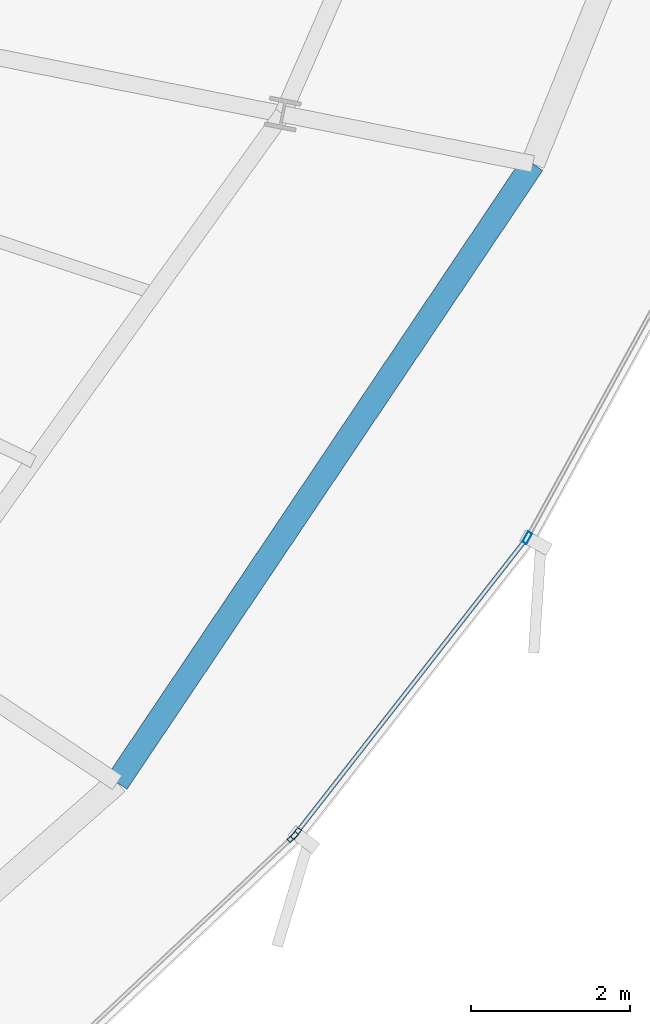
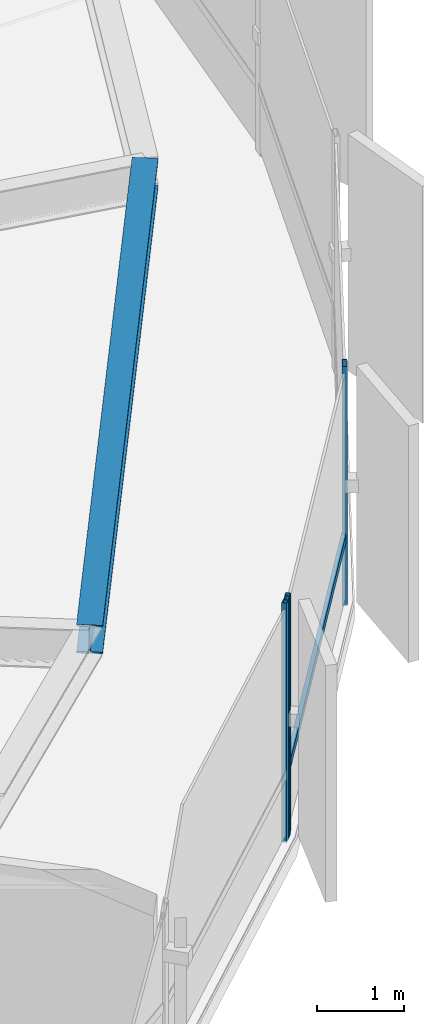
# One storey, part 14 of 34: 4 members, 1 beam, 2 elements without a shape of their own.
"""IFC4 building model written with IfcOpenShell, lengths in metres."""

from ifc_helpers import new_model, si_unit, direction, frame, origin, origin_2d, place, context, subcontext, project, spatial, hollow_rectangle, i_section, extrude, source, transform, mapped, material, layer, layer_set, material_profile, profile_set, type_object, element, aggregate, save


model = new_model("IFC4")

# Units and contexts
model_context = context("Model", 3, precision=1e-05, world=origin(), true_north=direction((0.0, 1.0)))
body_context = subcontext(model_context, "Body", "Model", "MODEL_VIEW")
ifc_project = project(units=[si_unit("LENGTHUNIT", "METRE"), si_unit("AREAUNIT", "SQUARE_METRE"), si_unit("VOLUMEUNIT", "CUBIC_METRE"), si_unit("PLANEANGLEUNIT", "RADIAN"), si_unit("MASSUNIT", "GRAM", prefix="KILO"), si_unit("THERMODYNAMICTEMPERATUREUNIT", "KELVIN")], contexts=[model_context])

# Site, building, storey
site_placement = place(None, origin())
site = spatial("IfcSite", under=ifc_project, at=site_placement, CompositionType="ELEMENT")
building_placement = place(site_placement, origin())
building = spatial("IfcBuilding", under=site, at=building_placement, Name="Kethvar Cultural Tower", CompositionType="ELEMENT")
storey_placement = place(building_placement, frame((0.0, 0.0, 125.199951171875)))
storey = spatial("IfcBuildingStorey", under=building, at=storey_placement, Name="L31", CompositionType="ELEMENT", Elevation=125.199951171875)

# Beam
ifc_material_1 = material(Name="Steel S355J2", Category="steel")
ifc_material_profile_1 = material_profile(ifc_material_1, i_section(OverallWidth=0.300048828125, OverallDepth=0.39990234375, WebThickness=0.013427734375, FlangeThickness=0.02392578125, FilletRadius=0.027099609375, at=origin_2d()), Name="Steel S355J2 — HEB400")
ifc_profile_set_1 = profile_set([ifc_material_profile_1], Name="Steel S355J2 — HEB400")
beam_type = type_object("IfcBeamType", Name="BM-SP400", PredefinedType="SPANDREL", material=ifc_profile_set_1)
shared_shape_1 = source(origin(), body_context, "Body", "SweptSolid", [
    extrude(i_section(OverallWidth=0.300048828125, OverallDepth=0.39990234375, WebThickness=0.013427734375, FlangeThickness=0.02392578125, FilletRadius=0.027099609375, at=origin_2d()), origin(), (0.0, 0.0, 1.0), 9.355224609375),
])
beam_placement = place(storey_placement, frame((65.559326171875, 15.265380859375, 3.14794921875), z_axis=(0.557731714622, 0.830021285573, 0.0), x_axis=(-0.830021285573, 0.557731714622, 0.0)))
element("IfcBeam", 1, at=beam_placement, inside=storey, type_object=beam_type, Name="L31 Perimeter Spandrel Beam SP-15", PredefinedType="SPANDREL", context=body_context, shape_type="MappedRepresentation", body=[
    mapped(shared_shape_1, transform((0.0, 0.0, 0.0), scale=1.0)),
])

# Curtain wall, member
ifc_material_2 = material(Name="Aluminium 6063-T6", Category="aluminium")
ifc_layer = layer(ifc_material_2, 0.179931640625, Name="Aluminium 6063-T6", Category="aluminium")
ifc_layer_set = layer_set([ifc_layer], Name="Aluminium 6063-T6 (180 mm)")
curtain_wall_type = type_object("IfcCurtainWallType", Name="CW-SYS-03-Z2", PredefinedType="NOTDEFINED", material=ifc_layer_set)
curtain_wall_1_placement = place(storey_placement, origin())
curtain_wall_1 = element("IfcCurtainWall", 2, at=curtain_wall_1_placement, inside=storey, type_object=curtain_wall_type, Name="L31 Curtain Wall Run 05", PredefinedType="NOTDEFINED")
ifc_material_profile_2 = material_profile(ifc_material_2, hollow_rectangle(XDim=0.06005859375, YDim=0.14990234375, WallThickness=0.0048828125, at=origin_2d()), Name="Aluminium 6063-T6 — RHS150x60x5")
ifc_profile_set_2 = profile_set([ifc_material_profile_2], Name="Aluminium 6063-T6 — RHS150x60x5")
member_type_1 = type_object("IfcMemberType", Name="CW-SYS-03-Z2-MUL", PredefinedType="MULLION", material=ifc_profile_set_2)
shared_shape_2 = source(origin(), body_context, "Body", "SweptSolid", [
    extrude(hollow_rectangle(XDim=0.06005859375, YDim=0.14990234375, WallThickness=0.0048828125, at=origin_2d()), origin(), (0.0, 0.0, 1.0), 3.35009765625),
])
member_1_placement = place(storey_placement, frame((67.764404296875, 14.58203125, 0.0), z_axis=(0.0, 0.0, 1.0), x_axis=(-0.685043140512, 0.728502502149, 0.0)))
member_1 = element("IfcMember", 3, at=member_1_placement, type_object=member_type_1, Name="CW-L31-R05 Mullion 7", PredefinedType="MULLION", context=body_context, shape_type="MappedRepresentation", body=[
    mapped(shared_shape_2, transform((0.0, 0.0, 0.0), scale=1.0)),
])
aggregate(curtain_wall_1, [member_1])

# Curtain wall, members
curtain_wall_2_placement = place(storey_placement, origin())
curtain_wall_2 = element("IfcCurtainWall", 4, at=curtain_wall_2_placement, inside=storey, type_object=curtain_wall_type, Name="L31 Curtain Wall Run 06", PredefinedType="NOTDEFINED")
member_2_placement = place(storey_placement, frame((67.804931640625, 14.62646484375, 0.0), z_axis=(0.0, 0.0, 1.0), x_axis=(-0.787860295607, 0.615854004295, 0.0)))
member_2 = element("IfcMember", 5, at=member_2_placement, type_object=member_type_1, Name="CW-L31-R06 Mullion 1", PredefinedType="MULLION", context=body_context, shape_type="MappedRepresentation", body=[
    mapped(shared_shape_2, transform((0.0, 0.0, 0.0), scale=1.0)),
])
member_3_placement = place(storey_placement, frame((70.70703125, 18.336669921875, 0.0), z_axis=(0.0, 0.0, 1.0), x_axis=(-0.876902988407, 0.48066739948, 0.0)))
member_3 = element("IfcMember", 6, at=member_3_placement, type_object=member_type_1, Name="CW-L31-R06 Mullion 2", PredefinedType="MULLION", context=body_context, shape_type="MappedRepresentation", body=[
    mapped(shared_shape_2, transform((0.0, 0.0, 0.0), scale=1.0)),
])
ifc_material_profile_3 = material_profile(ifc_material_2, hollow_rectangle(XDim=0.054931640625, YDim=0.1201171875, WallThickness=0.00390625, at=origin_2d()), Name="Aluminium 6063-T6 — RHS120x55x4")
ifc_profile_set_3 = profile_set([ifc_material_profile_3], Name="Aluminium 6063-T6 — RHS120x55x4")
member_type_2 = type_object("IfcMemberType", Name="CW-SYS-03-Z2-TRN", PredefinedType="USERDEFINED", material=ifc_profile_set_3)
shared_shape_3 = source(origin(), body_context, "Body", "SweptSolid", [
    extrude(hollow_rectangle(XDim=0.054931640625, YDim=0.1201171875, WallThickness=0.00390625, at=origin_2d()), origin(), (0.0, 0.0, 1.0), 4.681396484375),
])
member_4_placement = place(storey_placement, frame((67.8076171875, 14.6298828125, 0.949951171875), z_axis=(0.61585958357, 0.787855934372, 0.0), x_axis=(-0.787855934372, 0.61585958357, 0.0)))
member_4 = element("IfcMember", 7, at=member_4_placement, type_object=member_type_2, Name="CW-L31-R06 Transom 1", ObjectType="TRANSOM", PredefinedType="USERDEFINED", context=body_context, shape_type="MappedRepresentation", body=[
    mapped(shared_shape_3, transform((0.0, 0.0, 0.0), scale=1.0)),
])
aggregate(curtain_wall_2, [member_2, member_3, member_4])

save(model, "model.ifc")
